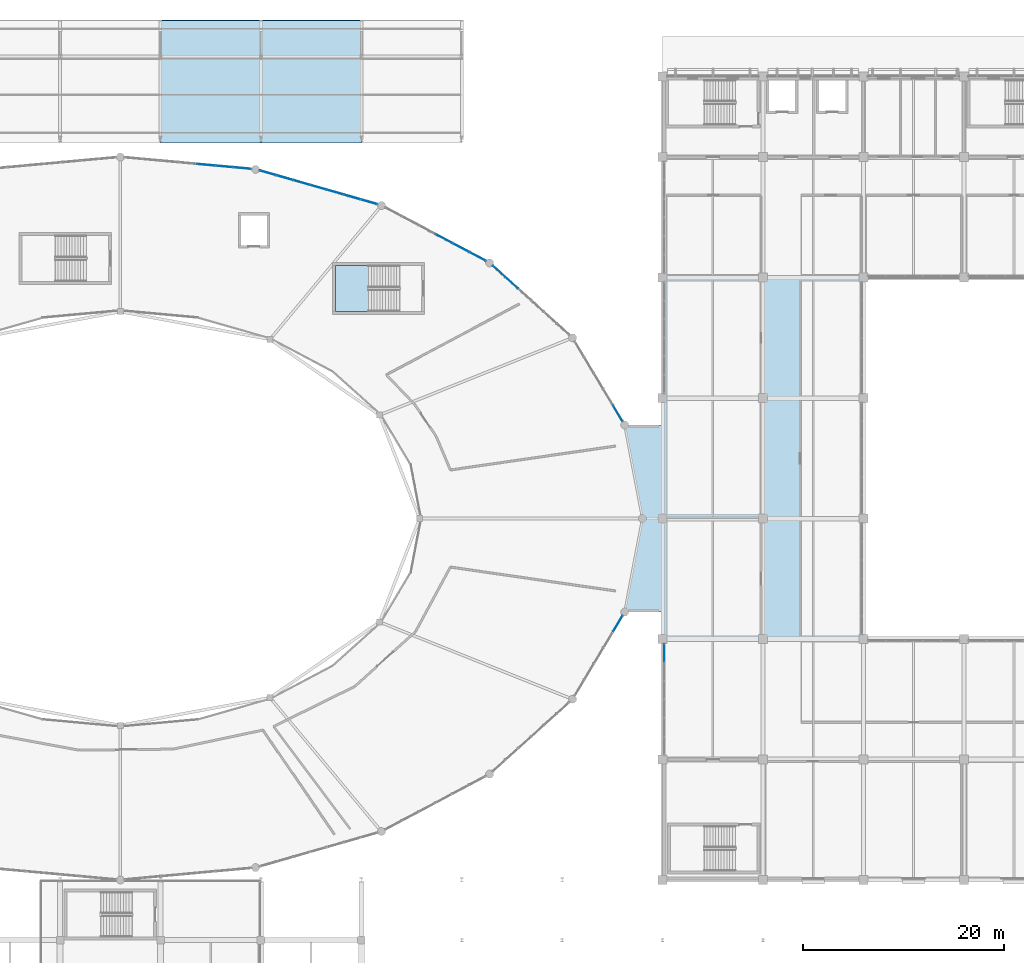
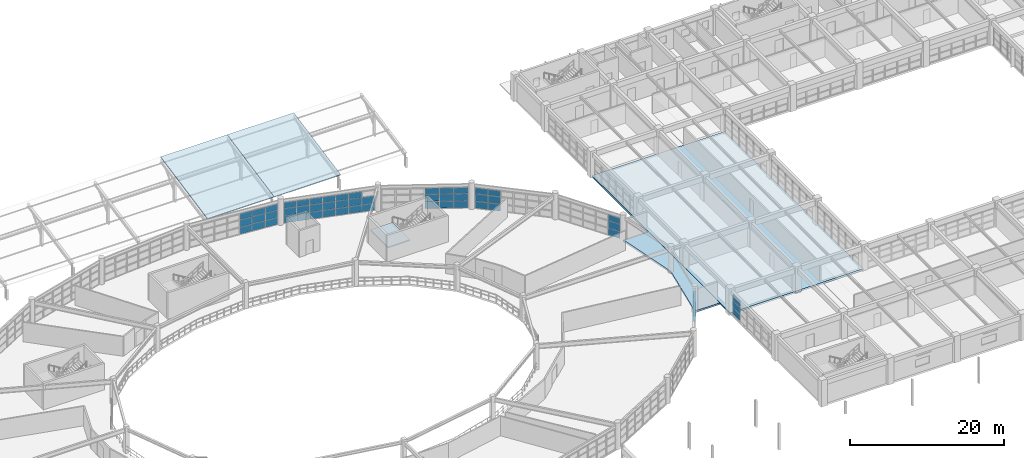
# One storey, part 68 of 100: 53 plates, 5 slabs, 9 elements without a shape of their own.
"""IFC4 building model written with IfcOpenShell, lengths in metres."""

from ifc_helpers import new_model, si_unit, direction, frame, origin, origin_2d, place, context, subcontext, project, spatial, polyline, rectangle, outline, extrude, material, layer, layer_set, type_object, element, aggregate, save


model = new_model("IFC4")

# Units and contexts
model_context = context("Model", 3, precision=1e-05, world=origin(), true_north=direction((0.0, 1.0)))
body_context = subcontext(model_context, "Body", "Model", "MODEL_VIEW")
ifc_project = project(units=[si_unit("LENGTHUNIT", "METRE"), si_unit("AREAUNIT", "SQUARE_METRE"), si_unit("VOLUMEUNIT", "CUBIC_METRE"), si_unit("PLANEANGLEUNIT", "RADIAN"), si_unit("MASSUNIT", "GRAM", prefix="KILO")], contexts=[model_context])

# Site, building, storey
site_placement = place(None, origin())
site = spatial("IfcSite", under=ifc_project, at=site_placement, CompositionType="ELEMENT")
building_placement = place(site_placement, origin())
building = spatial("IfcBuilding", under=site, at=building_placement, Name="Kivolera Central Railway Station", CompositionType="ELEMENT")
storey_placement = place(building_placement, frame((0.0, 0.0, 5.39990234375)))
storey = spatial("IfcBuildingStorey", under=building, at=storey_placement, Name="L01", CompositionType="ELEMENT", Elevation=5.39990234375)

# Curtain wall, plates
ifc_material_1 = material(Name="Anodised aluminium", Category="aluminium")
ifc_layer_1 = layer(ifc_material_1, 0.179931640625, Name="Anodised aluminium")
ifc_layer_set_1 = layer_set([ifc_layer_1], Name="Anodised aluminium")
curtain_wall_type_1 = type_object("IfcCurtainWallType", Name="CW-SYS-12", PredefinedType="NOTDEFINED", material=ifc_layer_set_1)
curtain_wall_1_placement = place(storey_placement, origin())
curtain_wall_1 = element("IfcCurtainWall", 1, at=curtain_wall_1_placement, inside=storey, type_object=curtain_wall_type_1, Name="L01 Curtain Wall CW-L01-OVL-05", PredefinedType="NOTDEFINED")
ifc_material_2 = material(Name="Double low-E laminated glass", Category="glass")
ifc_layer_2 = layer(ifc_material_2, 0.02587890625, Name="Double low-E laminated glass")
ifc_layer_set_2 = layer_set([ifc_layer_2], Name="Double low-E laminated glass")
plate_type_1 = type_object("IfcPlateType", Name="CWP-GLZ-1", PredefinedType="CURTAIN_PANEL", material=ifc_layer_set_2)
plate_1_placement = place(storey_placement, frame((72.53857421875, 125.221435546875, 0.05810546875), z_axis=(0.0, 0.0, 1.0), x_axis=(0.995866087555, -0.090833560193, 0.0)))
plate_1 = element("IfcPlate", 2, at=plate_1_placement, type_object=plate_type_1, Name="CW-12 panel 5.1", PredefinedType="CURTAIN_PANEL", context=body_context, shape_type="SweptSolid", body=[
    extrude(rectangle(XDim=1.7705078125, YDim=0.02587890625, at=origin_2d()), origin(), (0.0, 0.0, 1.0), 1.087890625),
])
plate_2_placement = place(storey_placement, frame((72.53857421875, 125.221435546875, 1.192138671875), z_axis=(0.0, 0.0, 1.0), x_axis=(0.995866087555, -0.090833560193, 0.0)))
plate_2 = element("IfcPlate", 3, at=plate_2_placement, type_object=plate_type_1, Name="CW-12 panel 5.2", PredefinedType="CURTAIN_PANEL", context=body_context, shape_type="SweptSolid", body=[
    extrude(rectangle(XDim=1.7705078125, YDim=0.02587890625, at=origin_2d()), origin(), (0.0, 0.0, 1.0), 1.123046875),
])
plate_3_placement = place(storey_placement, frame((72.53857421875, 125.221435546875, 2.361083984375), z_axis=(0.0, 0.0, 1.0), x_axis=(0.995866087555, -0.090833560193, 0.0)))
plate_3 = element("IfcPlate", 4, at=plate_3_placement, type_object=plate_type_1, Name="CW-12 panel 5.3", PredefinedType="CURTAIN_PANEL", context=body_context, shape_type="SweptSolid", body=[
    extrude(rectangle(XDim=1.7705078125, YDim=0.02587890625, at=origin_2d()), origin(), (0.0, 0.0, 1.0), 0.9208984375),
])
plate_4_placement = place(storey_placement, frame((74.347412109375, 125.056396484375, 0.05810546875), z_axis=(0.0, 0.0, 1.0), x_axis=(0.995866087555, -0.090833560193, 0.0)))
plate_4 = element("IfcPlate", 5, at=plate_4_placement, type_object=plate_type_1, Name="CW-12 panel 6.1", PredefinedType="CURTAIN_PANEL", context=body_context, shape_type="SweptSolid", body=[
    extrude(rectangle(XDim=1.7705078125, YDim=0.02587890625, at=origin_2d()), origin(), (0.0, 0.0, 1.0), 1.087890625),
])
plate_5_placement = place(storey_placement, frame((74.347412109375, 125.056396484375, 1.192138671875), z_axis=(0.0, 0.0, 1.0), x_axis=(0.995866087555, -0.090833560193, 0.0)))
plate_5 = element("IfcPlate", 6, at=plate_5_placement, type_object=plate_type_1, Name="CW-12 panel 6.2", PredefinedType="CURTAIN_PANEL", context=body_context, shape_type="SweptSolid", body=[
    extrude(rectangle(XDim=1.7705078125, YDim=0.02587890625, at=origin_2d()), origin(), (0.0, 0.0, 1.0), 1.123046875),
])
plate_6_placement = place(storey_placement, frame((74.347412109375, 125.056396484375, 2.361083984375), z_axis=(0.0, 0.0, 1.0), x_axis=(0.995866087555, -0.090833560193, 0.0)))
plate_6 = element("IfcPlate", 7, at=plate_6_placement, type_object=plate_type_1, Name="CW-12 panel 6.3", PredefinedType="CURTAIN_PANEL", context=body_context, shape_type="SweptSolid", body=[
    extrude(rectangle(XDim=1.7705078125, YDim=0.02587890625, at=origin_2d()), origin(), (0.0, 0.0, 1.0), 0.9208984375),
])
plate_7_placement = place(storey_placement, frame((76.13916015625, 124.89306640625, 0.05810546875), z_axis=(0.0, 0.0, 1.0), x_axis=(0.995866087555, -0.090833560193, 0.0)))
plate_7 = element("IfcPlate", 8, at=plate_7_placement, type_object=plate_type_1, Name="CW-12 panel 7.1", PredefinedType="CURTAIN_PANEL", context=body_context, shape_type="SweptSolid", body=[
    extrude(rectangle(XDim=1.735595703125, YDim=0.02587890625, at=origin_2d()), origin(), (0.0, 0.0, 1.0), 1.087890625),
])
plate_8_placement = place(storey_placement, frame((76.13916015625, 124.89306640625, 1.192138671875), z_axis=(0.0, 0.0, 1.0), x_axis=(0.995866087555, -0.090833560193, 0.0)))
plate_8 = element("IfcPlate", 9, at=plate_8_placement, type_object=plate_type_1, Name="CW-12 panel 7.2", PredefinedType="CURTAIN_PANEL", context=body_context, shape_type="SweptSolid", body=[
    extrude(rectangle(XDim=1.735595703125, YDim=0.02587890625, at=origin_2d()), origin(), (0.0, 0.0, 1.0), 1.123046875),
])
plate_9_placement = place(storey_placement, frame((76.13916015625, 124.89306640625, 2.361083984375), z_axis=(0.0, 0.0, 1.0), x_axis=(0.995866087555, -0.090833560193, 0.0)))
plate_9 = element("IfcPlate", 10, at=plate_9_placement, type_object=plate_type_1, Name="CW-12 panel 7.3", PredefinedType="CURTAIN_PANEL", context=body_context, shape_type="SweptSolid", body=[
    extrude(rectangle(XDim=1.735595703125, YDim=0.02587890625, at=origin_2d()), origin(), (0.0, 0.0, 1.0), 0.9208984375),
])
aggregate(curtain_wall_1, [plate_1, plate_2, plate_3, plate_4, plate_5, plate_6, plate_7, plate_8, plate_9])

ifc_layer_3 = layer(ifc_material_1, 0.179931640625, Name="Anodised aluminium")
ifc_layer_set_3 = layer_set([ifc_layer_3], Name="Anodised aluminium")
curtain_wall_type_2 = type_object("IfcCurtainWallType", Name="CW-SYS-26", PredefinedType="NOTDEFINED", material=ifc_layer_set_3)
curtain_wall_2_placement = place(storey_placement, origin())
curtain_wall_2 = element("IfcCurtainWall", 11, at=curtain_wall_2_placement, inside=storey, type_object=curtain_wall_type_2, Name="L01 Curtain Wall CW-L01-WEST-F", PredefinedType="NOTDEFINED")
ifc_layer_4 = layer(ifc_material_2, 0.030029296875, Name="Double low-E laminated glass")
ifc_layer_set_4 = layer_set([ifc_layer_4], Name="Double low-E laminated glass")
plate_type_2 = type_object("IfcPlateType", Name="CWP-GLZ-2", PredefinedType="CURTAIN_PANEL", material=ifc_layer_set_4)
plate_10_placement = place(storey_placement, frame((118.159912109375, 76.611572265625, 0.05810546875), z_axis=(0.0, 0.0, 1.0), x_axis=(0.0, 1.0, 0.0)))
plate_10 = element("IfcPlate", 12, at=plate_10_placement, type_object=plate_type_2, Name="CW-26 panel 6.1", PredefinedType="CURTAIN_PANEL", context=body_context, shape_type="SweptSolid", body=[
    extrude(rectangle(XDim=1.770751953125, YDim=0.030029296875, at=origin_2d()), origin(), (0.0, 0.0, 1.0), 1.04541015625),
])
plate_11_placement = place(storey_placement, frame((118.159912109375, 76.611572265625, 1.1494140625), z_axis=(0.0, 0.0, 1.0), x_axis=(0.0, 1.0, 0.0)))
plate_11 = element("IfcPlate", 13, at=plate_11_placement, type_object=plate_type_2, Name="CW-26 panel 6.2", PredefinedType="CURTAIN_PANEL", context=body_context, shape_type="SweptSolid", body=[
    extrude(rectangle(XDim=1.770751953125, YDim=0.030029296875, at=origin_2d()), origin(), (0.0, 0.0, 1.0), 1.080322265625),
])
plate_12_placement = place(storey_placement, frame((118.159912109375, 76.611572265625, 2.27587890625), z_axis=(0.0, 0.0, 1.0), x_axis=(0.0, 1.0, 0.0)))
plate_12 = element("IfcPlate", 14, at=plate_12_placement, type_object=plate_type_2, Name="CW-26 panel 6.3", PredefinedType="CURTAIN_PANEL", context=body_context, shape_type="SweptSolid", body=[
    extrude(rectangle(XDim=1.770751953125, YDim=0.030029296875, at=origin_2d()), origin(), (0.0, 0.0, 1.0), 0.884521484375),
])
aggregate(curtain_wall_2, [plate_10, plate_11, plate_12])

ifc_layer_5 = layer(ifc_material_1, 0.179931640625, Name="Anodised aluminium")
ifc_layer_set_5 = layer_set([ifc_layer_5], Name="Anodised aluminium")
curtain_wall_type_3 = type_object("IfcCurtainWallType", Name="CW-SYS-02", PredefinedType="NOTDEFINED", material=ifc_layer_set_5)
curtain_wall_3_placement = place(storey_placement, origin())
curtain_wall_3 = element("IfcCurtainWall", 15, at=curtain_wall_3_placement, inside=storey, type_object=curtain_wall_type_3, Name="L01 Curtain Wall CW-L01-OVL-01", PredefinedType="NOTDEFINED")
ifc_layer_6 = layer(ifc_material_2, 0.033935546875, Name="Double low-E laminated glass")
ifc_layer_set_6 = layer_set([ifc_layer_6], Name="Double low-E laminated glass")
plate_type_3 = type_object("IfcPlateType", Name="CWP-GLZ-3", PredefinedType="CURTAIN_PANEL", material=ifc_layer_set_6)
plate_13_placement = place(storey_placement, frame((113.535400390625, 100.474609375, 0.05810546875), z_axis=(0.0, 0.0, 1.0), x_axis=(0.513453894052, -0.858117182372, 0.0)))
plate_13 = element("IfcPlate", 16, at=plate_13_placement, type_object=plate_type_3, Name="CW-02 panel 5.1", PredefinedType="CURTAIN_PANEL", context=body_context, shape_type="SweptSolid", body=[
    extrude(rectangle(XDim=1.782958984375, YDim=0.033935546875, at=origin_2d()), origin(), (0.0, 0.0, 1.0), 1.087890625),
])
plate_14_placement = place(storey_placement, frame((113.535400390625, 100.474609375, 1.192138671875), z_axis=(0.0, 0.0, 1.0), x_axis=(0.513453894052, -0.858117182372, 0.0)))
plate_14 = element("IfcPlate", 17, at=plate_14_placement, type_object=plate_type_3, Name="CW-02 panel 5.2", PredefinedType="CURTAIN_PANEL", context=body_context, shape_type="SweptSolid", body=[
    extrude(rectangle(XDim=1.782958984375, YDim=0.033935546875, at=origin_2d()), origin(), (0.0, 0.0, 1.0), 1.123046875),
])
plate_15_placement = place(storey_placement, frame((113.535400390625, 100.474609375, 2.361083984375), z_axis=(0.0, 0.0, 1.0), x_axis=(0.513453894052, -0.858117182372, 0.0)))
plate_15 = element("IfcPlate", 18, at=plate_15_placement, type_object=plate_type_3, Name="CW-02 panel 5.3", PredefinedType="CURTAIN_PANEL", context=body_context, shape_type="SweptSolid", body=[
    extrude(rectangle(XDim=1.782958984375, YDim=0.033935546875, at=origin_2d()), origin(), (0.0, 0.0, 1.0), 0.9208984375),
])
aggregate(curtain_wall_3, [plate_13, plate_14, plate_15])

ifc_layer_7 = layer(ifc_material_1, 0.179931640625, Name="Anodised aluminium")
ifc_layer_set_7 = layer_set([ifc_layer_7], Name="Anodised aluminium")
curtain_wall_type_4 = type_object("IfcCurtainWallType", Name="CW-SYS-05", PredefinedType="NOTDEFINED", material=ifc_layer_set_7)
curtain_wall_4_placement = place(storey_placement, origin())
curtain_wall_4 = element("IfcCurtainWall", 19, at=curtain_wall_4_placement, inside=storey, type_object=curtain_wall_type_4, Name="L01 Curtain Wall CW-L01-OVL-02", PredefinedType="NOTDEFINED")
ifc_layer_8 = layer(ifc_material_2, 0.0380859375, Name="Double low-E laminated glass")
ifc_layer_set_8 = layer_set([ifc_layer_8], Name="Double low-E laminated glass")
plate_type_4 = type_object("IfcPlateType", Name="CWP-GLZ-4", PredefinedType="CURTAIN_PANEL", material=ifc_layer_set_8)
plate_16_placement = place(storey_placement, frame((101.718994140625, 114.599609375, 0.05810546875), z_axis=(0.0, 0.0, 1.0), x_axis=(0.742431873669, -0.669921572246, 0.0)))
plate_16 = element("IfcPlate", 20, at=plate_16_placement, type_object=plate_type_4, Name="CW-05 panel 1.1", PredefinedType="CURTAIN_PANEL", context=body_context, shape_type="SweptSolid", body=[
    extrude(rectangle(XDim=1.640625, YDim=0.0380859375, at=origin_2d()), origin(), (0.0, 0.0, 1.0), 1.087890625),
])
plate_17_placement = place(storey_placement, frame((101.718994140625, 114.599609375, 1.192138671875), z_axis=(0.0, 0.0, 1.0), x_axis=(0.742431873669, -0.669921572246, 0.0)))
plate_17 = element("IfcPlate", 21, at=plate_17_placement, type_object=plate_type_4, Name="CW-05 panel 1.2", PredefinedType="CURTAIN_PANEL", context=body_context, shape_type="SweptSolid", body=[
    extrude(rectangle(XDim=1.640625, YDim=0.0380859375, at=origin_2d()), origin(), (0.0, 0.0, 1.0), 1.123046875),
])
plate_18_placement = place(storey_placement, frame((101.718994140625, 114.599609375, 2.361083984375), z_axis=(0.0, 0.0, 1.0), x_axis=(0.742431873669, -0.669921572246, 0.0)))
plate_18 = element("IfcPlate", 22, at=plate_18_placement, type_object=plate_type_4, Name="CW-05 panel 1.3", PredefinedType="CURTAIN_PANEL", context=body_context, shape_type="SweptSolid", body=[
    extrude(rectangle(XDim=1.640625, YDim=0.0380859375, at=origin_2d()), origin(), (0.0, 0.0, 1.0), 0.9208984375),
])
plate_19_placement = place(storey_placement, frame((102.984130859375, 113.4580078125, 0.05810546875), z_axis=(0.0, 0.0, 1.0), x_axis=(0.742431873669, -0.669921572246, 0.0)))
plate_19 = element("IfcPlate", 23, at=plate_19_placement, type_object=plate_type_4, Name="CW-05 panel 2.1", PredefinedType="CURTAIN_PANEL", context=body_context, shape_type="SweptSolid", body=[
    extrude(rectangle(XDim=1.675537109375, YDim=0.0380859375, at=origin_2d()), origin(), (0.0, 0.0, 1.0), 1.087890625),
])
plate_20_placement = place(storey_placement, frame((102.984130859375, 113.4580078125, 1.192138671875), z_axis=(0.0, 0.0, 1.0), x_axis=(0.742431873669, -0.669921572246, 0.0)))
plate_20 = element("IfcPlate", 24, at=plate_20_placement, type_object=plate_type_4, Name="CW-05 panel 2.2", PredefinedType="CURTAIN_PANEL", context=body_context, shape_type="SweptSolid", body=[
    extrude(rectangle(XDim=1.675537109375, YDim=0.0380859375, at=origin_2d()), origin(), (0.0, 0.0, 1.0), 1.123046875),
])
plate_21_placement = place(storey_placement, frame((102.984130859375, 113.4580078125, 2.361083984375), z_axis=(0.0, 0.0, 1.0), x_axis=(0.742431873669, -0.669921572246, 0.0)))
plate_21 = element("IfcPlate", 25, at=plate_21_placement, type_object=plate_type_4, Name="CW-05 panel 2.3", PredefinedType="CURTAIN_PANEL", context=body_context, shape_type="SweptSolid", body=[
    extrude(rectangle(XDim=1.675537109375, YDim=0.0380859375, at=origin_2d()), origin(), (0.0, 0.0, 1.0), 0.9208984375),
])
aggregate(curtain_wall_4, [plate_16, plate_17, plate_18, plate_19, plate_20, plate_21])

curtain_wall_5_placement = place(storey_placement, origin())
curtain_wall_5 = element("IfcCurtainWall", 26, at=curtain_wall_5_placement, inside=storey, type_object=curtain_wall_type_3, Name="L01 Curtain Wall CW-L01-OVL-22", PredefinedType="NOTDEFINED")
plate_22_placement = place(storey_placement, frame((113.535400390625, 79.525390625, 0.05810546875), z_axis=(0.0, 0.0, 1.0), x_axis=(-0.513453894052, -0.858117182372, 0.0)))
plate_22 = element("IfcPlate", 27, at=plate_22_placement, type_object=plate_type_4, Name="CW-02 panel 1.1", PredefinedType="CURTAIN_PANEL", context=body_context, shape_type="SweptSolid", body=[
    extrude(rectangle(XDim=1.782958984375, YDim=0.0380859375, at=origin_2d()), origin(), (0.0, 0.0, 1.0), 1.087890625),
])
plate_23_placement = place(storey_placement, frame((113.535400390625, 79.525390625, 1.192138671875), z_axis=(0.0, 0.0, 1.0), x_axis=(-0.513453894052, -0.858117182372, 0.0)))
plate_23 = element("IfcPlate", 28, at=plate_23_placement, type_object=plate_type_4, Name="CW-02 panel 1.2", PredefinedType="CURTAIN_PANEL", context=body_context, shape_type="SweptSolid", body=[
    extrude(rectangle(XDim=1.782958984375, YDim=0.0380859375, at=origin_2d()), origin(), (0.0, 0.0, 1.0), 1.123046875),
])
plate_24_placement = place(storey_placement, frame((113.535400390625, 79.525390625, 2.361083984375), z_axis=(0.0, 0.0, 1.0), x_axis=(-0.513453894052, -0.858117182372, 0.0)))
plate_24 = element("IfcPlate", 29, at=plate_24_placement, type_object=plate_type_4, Name="CW-02 panel 1.3", PredefinedType="CURTAIN_PANEL", context=body_context, shape_type="SweptSolid", body=[
    extrude(rectangle(XDim=1.782958984375, YDim=0.0380859375, at=origin_2d()), origin(), (0.0, 0.0, 1.0), 0.9208984375),
])
aggregate(curtain_wall_5, [plate_22, plate_23, plate_24])

ifc_layer_9 = layer(ifc_material_1, 0.179931640625, Name="Anodised aluminium")
ifc_layer_set_9 = layer_set([ifc_layer_9], Name="Anodised aluminium")
curtain_wall_type_5 = type_object("IfcCurtainWallType", Name="CW-SYS-08", PredefinedType="NOTDEFINED", material=ifc_layer_set_9)
curtain_wall_6_placement = place(storey_placement, origin())
curtain_wall_6 = element("IfcCurtainWall", 30, at=curtain_wall_6_placement, inside=storey, type_object=curtain_wall_type_5, Name="L01 Curtain Wall CW-L01-OVL-03", PredefinedType="NOTDEFINED")
ifc_layer_10 = layer(ifc_material_2, 0.0419921875, Name="Double low-E laminated glass")
ifc_layer_set_10 = layer_set([ifc_layer_10], Name="Double low-E laminated glass")
plate_type_5 = type_object("IfcPlateType", Name="CWP-GLZ-5", PredefinedType="CURTAIN_PANEL", material=ifc_layer_set_10)
plate_25_placement = place(storey_placement, frame((96.2236328125, 117.87109375, 0.05810546875), z_axis=(0.0, 0.0, 1.0), x_axis=(0.883170250772, -0.46905256438, 0.0)))
plate_25 = element("IfcPlate", 31, at=plate_25_placement, type_object=plate_type_5, Name="CW-08 panel 4.1", PredefinedType="CURTAIN_PANEL", context=body_context, shape_type="SweptSolid", body=[
    extrude(rectangle(XDim=1.853271484375, YDim=0.0419921875, at=origin_2d()), origin(), (0.0, 0.0, 1.0), 1.087890625),
])
plate_26_placement = place(storey_placement, frame((96.2236328125, 117.87109375, 1.192138671875), z_axis=(0.0, 0.0, 1.0), x_axis=(0.883170250772, -0.46905256438, 0.0)))
plate_26 = element("IfcPlate", 32, at=plate_26_placement, type_object=plate_type_5, Name="CW-08 panel 4.2", PredefinedType="CURTAIN_PANEL", context=body_context, shape_type="SweptSolid", body=[
    extrude(rectangle(XDim=1.853271484375, YDim=0.0419921875, at=origin_2d()), origin(), (0.0, 0.0, 1.0), 1.123046875),
])
plate_27_placement = place(storey_placement, frame((96.2236328125, 117.87109375, 2.361083984375), z_axis=(0.0, 0.0, 1.0), x_axis=(0.883170250772, -0.46905256438, 0.0)))
plate_27 = element("IfcPlate", 33, at=plate_27_placement, type_object=plate_type_5, Name="CW-08 panel 4.3", PredefinedType="CURTAIN_PANEL", context=body_context, shape_type="SweptSolid", body=[
    extrude(rectangle(XDim=1.853271484375, YDim=0.0419921875, at=origin_2d()), origin(), (0.0, 0.0, 1.0), 0.9208984375),
])
plate_28_placement = place(storey_placement, frame((97.90087890625, 116.980224609375, 0.05810546875), z_axis=(0.0, 0.0, 1.0), x_axis=(0.883170250772, -0.46905256438, 0.0)))
plate_28 = element("IfcPlate", 34, at=plate_28_placement, type_object=plate_type_5, Name="CW-08 panel 5.1", PredefinedType="CURTAIN_PANEL", context=body_context, shape_type="SweptSolid", body=[
    extrude(rectangle(XDim=1.853271484375, YDim=0.0419921875, at=origin_2d()), origin(), (0.0, 0.0, 1.0), 1.087890625),
])
plate_29_placement = place(storey_placement, frame((97.90087890625, 116.980224609375, 1.192138671875), z_axis=(0.0, 0.0, 1.0), x_axis=(0.883170250772, -0.46905256438, 0.0)))
plate_29 = element("IfcPlate", 35, at=plate_29_placement, type_object=plate_type_5, Name="CW-08 panel 5.2", PredefinedType="CURTAIN_PANEL", context=body_context, shape_type="SweptSolid", body=[
    extrude(rectangle(XDim=1.853271484375, YDim=0.0419921875, at=origin_2d()), origin(), (0.0, 0.0, 1.0), 1.123046875),
])
plate_30_placement = place(storey_placement, frame((97.90087890625, 116.980224609375, 2.361083984375), z_axis=(0.0, 0.0, 1.0), x_axis=(0.883170250772, -0.46905256438, 0.0)))
plate_30 = element("IfcPlate", 36, at=plate_30_placement, type_object=plate_type_5, Name="CW-08 panel 5.3", PredefinedType="CURTAIN_PANEL", context=body_context, shape_type="SweptSolid", body=[
    extrude(rectangle(XDim=1.853271484375, YDim=0.0419921875, at=origin_2d()), origin(), (0.0, 0.0, 1.0), 0.9208984375),
])
plate_31_placement = place(storey_placement, frame((99.56298828125, 116.09765625, 0.05810546875), z_axis=(0.0, 0.0, 1.0), x_axis=(0.883170250772, -0.46905256438, 0.0)))
plate_31 = element("IfcPlate", 37, at=plate_31_placement, type_object=plate_type_5, Name="CW-08 panel 6.1", PredefinedType="CURTAIN_PANEL", context=body_context, shape_type="SweptSolid", body=[
    extrude(rectangle(XDim=1.818115234375, YDim=0.0419921875, at=origin_2d()), origin(), (0.0, 0.0, 1.0), 1.087890625),
])
plate_32_placement = place(storey_placement, frame((99.56298828125, 116.09765625, 1.192138671875), z_axis=(0.0, 0.0, 1.0), x_axis=(0.883170250772, -0.46905256438, 0.0)))
plate_32 = element("IfcPlate", 38, at=plate_32_placement, type_object=plate_type_5, Name="CW-08 panel 6.2", PredefinedType="CURTAIN_PANEL", context=body_context, shape_type="SweptSolid", body=[
    extrude(rectangle(XDim=1.818115234375, YDim=0.0419921875, at=origin_2d()), origin(), (0.0, 0.0, 1.0), 1.123046875),
])
plate_33_placement = place(storey_placement, frame((99.56298828125, 116.09765625, 2.361083984375), z_axis=(0.0, 0.0, 1.0), x_axis=(0.883170250772, -0.46905256438, 0.0)))
plate_33 = element("IfcPlate", 39, at=plate_33_placement, type_object=plate_type_5, Name="CW-08 panel 6.3", PredefinedType="CURTAIN_PANEL", context=body_context, shape_type="SweptSolid", body=[
    extrude(rectangle(XDim=1.818115234375, YDim=0.0419921875, at=origin_2d()), origin(), (0.0, 0.0, 1.0), 0.9208984375),
])
aggregate(curtain_wall_6, [plate_25, plate_26, plate_27, plate_28, plate_29, plate_30, plate_31, plate_32, plate_33])

ifc_layer_11 = layer(ifc_material_1, 0.179931640625, Name="Anodised aluminium")
ifc_layer_set_11 = layer_set([ifc_layer_11], Name="Anodised aluminium")
curtain_wall_type_6 = type_object("IfcCurtainWallType", Name="CW-SYS-10", PredefinedType="NOTDEFINED", material=ifc_layer_set_11)
curtain_wall_7_placement = place(storey_placement, origin())
curtain_wall_7 = element("IfcCurtainWall", 40, at=curtain_wall_7_placement, inside=storey, type_object=curtain_wall_type_6, Name="L01 Curtain Wall CW-L01-OVL-04", PredefinedType="NOTDEFINED")
plate_34_placement = place(storey_placement, frame((78.70166015625, 124.4169921875, 0.05810546875), z_axis=(0.0, 0.0, 1.0), x_axis=(0.961246112288, -0.275691696668, 0.0)))
plate_34 = element("IfcPlate", 41, at=plate_34_placement, type_object=plate_type_5, Name="CW-10 panel 1.1", PredefinedType="CURTAIN_PANEL", context=body_context, shape_type="SweptSolid", body=[
    extrude(rectangle(XDim=1.66845703125, YDim=0.0419921875, at=origin_2d()), origin(), (0.0, 0.0, 1.0), 1.087890625),
])
plate_35_placement = place(storey_placement, frame((78.70166015625, 124.4169921875, 1.192138671875), z_axis=(0.0, 0.0, 1.0), x_axis=(0.961246112288, -0.275691696668, 0.0)))
plate_35 = element("IfcPlate", 42, at=plate_35_placement, type_object=plate_type_5, Name="CW-10 panel 1.2", PredefinedType="CURTAIN_PANEL", context=body_context, shape_type="SweptSolid", body=[
    extrude(rectangle(XDim=1.66845703125, YDim=0.0419921875, at=origin_2d()), origin(), (0.0, 0.0, 1.0), 1.123046875),
])
plate_36_placement = place(storey_placement, frame((78.70166015625, 124.4169921875, 2.361083984375), z_axis=(0.0, 0.0, 1.0), x_axis=(0.961246112288, -0.275691696668, 0.0)))
plate_36 = element("IfcPlate", 43, at=plate_36_placement, type_object=plate_type_5, Name="CW-10 panel 1.3", PredefinedType="CURTAIN_PANEL", context=body_context, shape_type="SweptSolid", body=[
    extrude(rectangle(XDim=1.66845703125, YDim=0.0419921875, at=origin_2d()), origin(), (0.0, 0.0, 1.0), 0.9208984375),
])
plate_37_placement = place(storey_placement, frame((80.366455078125, 123.939453125, 0.05810546875), z_axis=(0.0, 0.0, 1.0), x_axis=(0.961246112288, -0.275691696668, 0.0)))
plate_37 = element("IfcPlate", 44, at=plate_37_placement, type_object=plate_type_5, Name="CW-10 panel 2.1", PredefinedType="CURTAIN_PANEL", context=body_context, shape_type="SweptSolid", body=[
    extrude(rectangle(XDim=1.703369140625, YDim=0.0419921875, at=origin_2d()), origin(), (0.0, 0.0, 1.0), 1.087890625),
])
plate_38_placement = place(storey_placement, frame((80.366455078125, 123.939453125, 1.192138671875), z_axis=(0.0, 0.0, 1.0), x_axis=(0.961246112288, -0.275691696668, 0.0)))
plate_38 = element("IfcPlate", 45, at=plate_38_placement, type_object=plate_type_5, Name="CW-10 panel 2.2", PredefinedType="CURTAIN_PANEL", context=body_context, shape_type="SweptSolid", body=[
    extrude(rectangle(XDim=1.703369140625, YDim=0.0419921875, at=origin_2d()), origin(), (0.0, 0.0, 1.0), 1.123046875),
])
plate_39_placement = place(storey_placement, frame((80.366455078125, 123.939453125, 2.361083984375), z_axis=(0.0, 0.0, 1.0), x_axis=(0.961246112288, -0.275691696668, 0.0)))
plate_39 = element("IfcPlate", 46, at=plate_39_placement, type_object=plate_type_5, Name="CW-10 panel 2.3", PredefinedType="CURTAIN_PANEL", context=body_context, shape_type="SweptSolid", body=[
    extrude(rectangle(XDim=1.703369140625, YDim=0.0419921875, at=origin_2d()), origin(), (0.0, 0.0, 1.0), 0.9208984375),
])
plate_40_placement = place(storey_placement, frame((82.0478515625, 123.457275390625, 0.05810546875), z_axis=(0.0, 0.0, 1.0), x_axis=(0.961246112288, -0.275691696668, 0.0)))
plate_40 = element("IfcPlate", 47, at=plate_40_placement, type_object=plate_type_5, Name="CW-10 panel 3.1", PredefinedType="CURTAIN_PANEL", context=body_context, shape_type="SweptSolid", body=[
    extrude(rectangle(XDim=1.703369140625, YDim=0.0419921875, at=origin_2d()), origin(), (0.0, 0.0, 1.0), 1.087890625),
])
plate_41_placement = place(storey_placement, frame((82.0478515625, 123.457275390625, 1.192138671875), z_axis=(0.0, 0.0, 1.0), x_axis=(0.961246112288, -0.275691696668, 0.0)))
plate_41 = element("IfcPlate", 48, at=plate_41_placement, type_object=plate_type_5, Name="CW-10 panel 3.2", PredefinedType="CURTAIN_PANEL", context=body_context, shape_type="SweptSolid", body=[
    extrude(rectangle(XDim=1.703369140625, YDim=0.0419921875, at=origin_2d()), origin(), (0.0, 0.0, 1.0), 1.123046875),
])
plate_42_placement = place(storey_placement, frame((82.0478515625, 123.457275390625, 2.361083984375), z_axis=(0.0, 0.0, 1.0), x_axis=(0.961246112288, -0.275691696668, 0.0)))
plate_42 = element("IfcPlate", 49, at=plate_42_placement, type_object=plate_type_5, Name="CW-10 panel 3.3", PredefinedType="CURTAIN_PANEL", context=body_context, shape_type="SweptSolid", body=[
    extrude(rectangle(XDim=1.703369140625, YDim=0.0419921875, at=origin_2d()), origin(), (0.0, 0.0, 1.0), 0.9208984375),
])
plate_43_placement = place(storey_placement, frame((83.7294921875, 122.97509765625, 0.05810546875), z_axis=(0.0, 0.0, 1.0), x_axis=(0.961246112288, -0.275691696668, 0.0)))
plate_43 = element("IfcPlate", 50, at=plate_43_placement, type_object=plate_type_5, Name="CW-10 panel 4.1", PredefinedType="CURTAIN_PANEL", context=body_context, shape_type="SweptSolid", body=[
    extrude(rectangle(XDim=1.703369140625, YDim=0.0419921875, at=origin_2d()), origin(), (0.0, 0.0, 1.0), 1.087890625),
])
plate_44_placement = place(storey_placement, frame((83.7294921875, 122.97509765625, 1.192138671875), z_axis=(0.0, 0.0, 1.0), x_axis=(0.961246112288, -0.275691696668, 0.0)))
plate_44 = element("IfcPlate", 51, at=plate_44_placement, type_object=plate_type_5, Name="CW-10 panel 4.2", PredefinedType="CURTAIN_PANEL", context=body_context, shape_type="SweptSolid", body=[
    extrude(rectangle(XDim=1.703369140625, YDim=0.0419921875, at=origin_2d()), origin(), (0.0, 0.0, 1.0), 1.123046875),
])
plate_45_placement = place(storey_placement, frame((83.7294921875, 122.97509765625, 2.361083984375), z_axis=(0.0, 0.0, 1.0), x_axis=(0.961246112288, -0.275691696668, 0.0)))
plate_45 = element("IfcPlate", 52, at=plate_45_placement, type_object=plate_type_5, Name="CW-10 panel 4.3", PredefinedType="CURTAIN_PANEL", context=body_context, shape_type="SweptSolid", body=[
    extrude(rectangle(XDim=1.703369140625, YDim=0.0419921875, at=origin_2d()), origin(), (0.0, 0.0, 1.0), 0.9208984375),
])
plate_46_placement = place(storey_placement, frame((85.4111328125, 122.49267578125, 0.05810546875), z_axis=(0.0, 0.0, 1.0), x_axis=(0.961246112288, -0.275691696668, 0.0)))
plate_46 = element("IfcPlate", 53, at=plate_46_placement, type_object=plate_type_5, Name="CW-10 panel 5.1", PredefinedType="CURTAIN_PANEL", context=body_context, shape_type="SweptSolid", body=[
    extrude(rectangle(XDim=1.703369140625, YDim=0.0419921875, at=origin_2d()), origin(), (0.0, 0.0, 1.0), 1.087890625),
])
plate_47_placement = place(storey_placement, frame((85.4111328125, 122.49267578125, 1.192138671875), z_axis=(0.0, 0.0, 1.0), x_axis=(0.961246112288, -0.275691696668, 0.0)))
plate_47 = element("IfcPlate", 54, at=plate_47_placement, type_object=plate_type_5, Name="CW-10 panel 5.2", PredefinedType="CURTAIN_PANEL", context=body_context, shape_type="SweptSolid", body=[
    extrude(rectangle(XDim=1.703369140625, YDim=0.0419921875, at=origin_2d()), origin(), (0.0, 0.0, 1.0), 1.123046875),
])
plate_48_placement = place(storey_placement, frame((85.4111328125, 122.49267578125, 2.361083984375), z_axis=(0.0, 0.0, 1.0), x_axis=(0.961246112288, -0.275691696668, 0.0)))
plate_48 = element("IfcPlate", 55, at=plate_48_placement, type_object=plate_type_5, Name="CW-10 panel 5.3", PredefinedType="CURTAIN_PANEL", context=body_context, shape_type="SweptSolid", body=[
    extrude(rectangle(XDim=1.703369140625, YDim=0.0419921875, at=origin_2d()), origin(), (0.0, 0.0, 1.0), 0.9208984375),
])
plate_49_placement = place(storey_placement, frame((87.092529296875, 122.010498046875, 0.05810546875), z_axis=(0.0, 0.0, 1.0), x_axis=(0.961246112288, -0.275691696668, 0.0)))
plate_49 = element("IfcPlate", 56, at=plate_49_placement, type_object=plate_type_5, Name="CW-10 panel 6.1", PredefinedType="CURTAIN_PANEL", context=body_context, shape_type="SweptSolid", body=[
    extrude(rectangle(XDim=1.703369140625, YDim=0.0419921875, at=origin_2d()), origin(), (0.0, 0.0, 1.0), 1.087890625),
])
plate_50_placement = place(storey_placement, frame((87.092529296875, 122.010498046875, 1.192138671875), z_axis=(0.0, 0.0, 1.0), x_axis=(0.961246112288, -0.275691696668, 0.0)))
plate_50 = element("IfcPlate", 57, at=plate_50_placement, type_object=plate_type_5, Name="CW-10 panel 6.2", PredefinedType="CURTAIN_PANEL", context=body_context, shape_type="SweptSolid", body=[
    extrude(rectangle(XDim=1.703369140625, YDim=0.0419921875, at=origin_2d()), origin(), (0.0, 0.0, 1.0), 1.123046875),
])
plate_51_placement = place(storey_placement, frame((87.092529296875, 122.010498046875, 2.361083984375), z_axis=(0.0, 0.0, 1.0), x_axis=(0.961246112288, -0.275691696668, 0.0)))
plate_51 = element("IfcPlate", 58, at=plate_51_placement, type_object=plate_type_5, Name="CW-10 panel 6.3", PredefinedType="CURTAIN_PANEL", context=body_context, shape_type="SweptSolid", body=[
    extrude(rectangle(XDim=1.703369140625, YDim=0.0419921875, at=origin_2d()), origin(), (0.0, 0.0, 1.0), 0.9208984375),
])
plate_52_placement = place(storey_placement, frame((88.75732421875, 121.532958984375, 0.05810546875), z_axis=(0.0, 0.0, 1.0), x_axis=(0.961246112288, -0.275691696668, 0.0)))
plate_52 = element("IfcPlate", 59, at=plate_52_placement, type_object=plate_type_5, Name="CW-10 panel 7.1", PredefinedType="CURTAIN_PANEL", context=body_context, shape_type="SweptSolid", body=[
    extrude(rectangle(XDim=1.66845703125, YDim=0.0419921875, at=origin_2d()), origin(), (0.0, 0.0, 1.0), 1.087890625),
])
plate_53_placement = place(storey_placement, frame((88.75732421875, 121.532958984375, 1.192138671875), z_axis=(0.0, 0.0, 1.0), x_axis=(0.961246112288, -0.275691696668, 0.0)))
plate_53 = element("IfcPlate", 60, at=plate_53_placement, type_object=plate_type_5, Name="CW-10 panel 7.2", PredefinedType="CURTAIN_PANEL", context=body_context, shape_type="SweptSolid", body=[
    extrude(rectangle(XDim=1.66845703125, YDim=0.0419921875, at=origin_2d()), origin(), (0.0, 0.0, 1.0), 1.123046875),
])
aggregate(curtain_wall_7, [plate_34, plate_35, plate_36, plate_37, plate_38, plate_39, plate_40, plate_41, plate_42, plate_43, plate_44, plate_45, plate_46, plate_47, plate_48, plate_49, plate_50, plate_51, plate_52, plate_53])

# Roof, slabs
ifc_material_3 = material(Name="Steel S355", Category="steel")
roof_type = type_object("IfcRoofType", Name="ROOF-SYS-2", PredefinedType="SHED_ROOF", material=ifc_material_3)
roof_placement = place(storey_placement, origin())
roof = element("IfcRoof", 61, at=roof_placement, inside=storey, type_object=roof_type, Name="Forecourt Interchange Sloped Steel Canopy Roof", PredefinedType="SHED_ROOF")
ifc_material_4 = material(Name="Precast concrete C40/50", Category="concrete")
ifc_layer_12 = layer(ifc_material_4, 0.14990234375, Name="Precast concrete C40/50")
ifc_layer_set_12 = layer_set([ifc_layer_12], Name="Precast concrete C40/50")
slab_type_1 = type_object("IfcSlabType", Name="SLB-CAN-150", PredefinedType="ROOF", material=ifc_layer_set_12)
slab_1_placement = place(storey_placement, frame((68.0, 127.39990234375, 2.52001953125), z_axis=(0.0, -0.196127455831, 0.980578411484), x_axis=(1.0, 0.0, 0.0)))
slab_1 = element("IfcSlab", 62, at=slab_1_placement, type_object=slab_type_1, Name="Forecourt Canopy Sloped Roof Panel 68", PredefinedType="ROOF", context=body_context, shape_type="SweptSolid", body=[
    extrude(outline(polyline([(0.0, 0.0), (10.0, 0.0), (10.0, 12.441835522394781), (0.0, 12.441835522394781), (0.0, 0.0)])), origin(), (0.0, 0.0, -1.0), 0.14990234375),
])
slab_2_placement = place(storey_placement, frame((78.0, 127.39990234375, 2.52001953125), z_axis=(0.0, -0.196127455831, 0.980578411484), x_axis=(1.0, 0.0, 0.0)))
slab_2 = element("IfcSlab", 63, at=slab_2_placement, type_object=slab_type_1, Name="Forecourt Canopy Sloped Roof Panel 78", PredefinedType="ROOF", context=body_context, shape_type="SweptSolid", body=[
    extrude(outline(polyline([(0.0, 0.0), (10.0, 0.0), (10.0, 12.441835522394781), (0.0, 12.441835522394781), (0.0, 0.0)])), origin(), (0.0, 0.0, -1.0), 0.14990234375),
])
aggregate(roof, [slab_1, slab_2])

# Slabs
ifc_material_5 = material(Name="Concrete C40/50", Category="concrete")
ifc_layer_13 = layer(ifc_material_5, 0.280029296875, Name="Concrete C40/50")
ifc_layer_set_13 = layer_set([ifc_layer_13], Name="Concrete C40/50")
slab_type_2 = type_object("IfcSlabType", Name="SLB-FLR-280", PredefinedType="FLOOR", material=ifc_layer_set_13)
slab_3_placement = place(storey_placement, frame((0.0, 0.0, -0.27978515625)))
element("IfcSlab", 64, at=slab_3_placement, inside=storey, type_object=slab_type_2, Name="L01 Concourse-to-Wing Link Gallery Slab", PredefinedType="FLOOR", context=body_context, shape_type="SweptSolid", body=[
    extrude(outline(polyline([(114.22802734375, 80.68310546875), (118.0, 80.68310546875), (118.0, 99.31689453125), (114.22802734375, 99.31689453125), (116.0, 90.0), (114.22802734375, 80.68310546875)])), origin(), (0.0, 0.0, 1.0), 0.27978515625),
])
slab_4_placement = place(storey_placement, frame((0.0, 0.0, -0.27978515625)))
element("IfcSlab", 65, at=slab_4_placement, inside=storey, type_object=slab_type_2, Name="L01 Wing WEST Floor Slab", PredefinedType="FLOOR", context=body_context, shape_type="SweptSolid", body=[
    extrude(outline(polyline([(118.0, 78.0), (138.0, 78.0), (138.0, 114.0), (118.0, 114.0), (118.0, 78.0)])), origin(), (0.0, 0.0, 1.0), 0.27978515625),
])

# Stair, slab
stair_type = type_object("IfcStairType", Name="STR-2200-24", PredefinedType="HALF_TURN_STAIR", material=ifc_material_5)
stair_placement = place(storey_placement, origin())
stair = element("IfcStair", 66, at=stair_placement, inside=storey, type_object=stair_type, Name="L01 East Concourse Link Stair ST7", PredefinedType="HALF_TURN_STAIR")
ifc_layer_14 = layer(ifc_material_5, 0.199951171875, Name="Concrete C40/50")
ifc_layer_set_14 = layer_set([ifc_layer_14], Name="Concrete C40/50")
slab_type_3 = type_object("IfcSlabType", Name="SLB-LND-200", PredefinedType="LANDING", material=ifc_layer_set_14)
slab_5_placement = place(storey_placement, frame((0.0, 0.0, 1.900146484375)))
slab_5 = element("IfcSlab", 67, at=slab_5_placement, type_object=slab_type_3, Name="ST7 landing 1", PredefinedType="LANDING", context=body_context, shape_type="SweptSolid", body=[
    extrude(outline(polyline([(88.719970703125, 115.199951171875), (85.39990234375, 115.199951171875), (85.39990234375, 110.6201171875), (88.719970703125, 110.6201171875), (88.719970703125, 115.199951171875)])), origin(), (0.0, 0.0, 1.0), 0.199951171875),
])
aggregate(stair, [slab_5])

save(model, "model.ifc")
